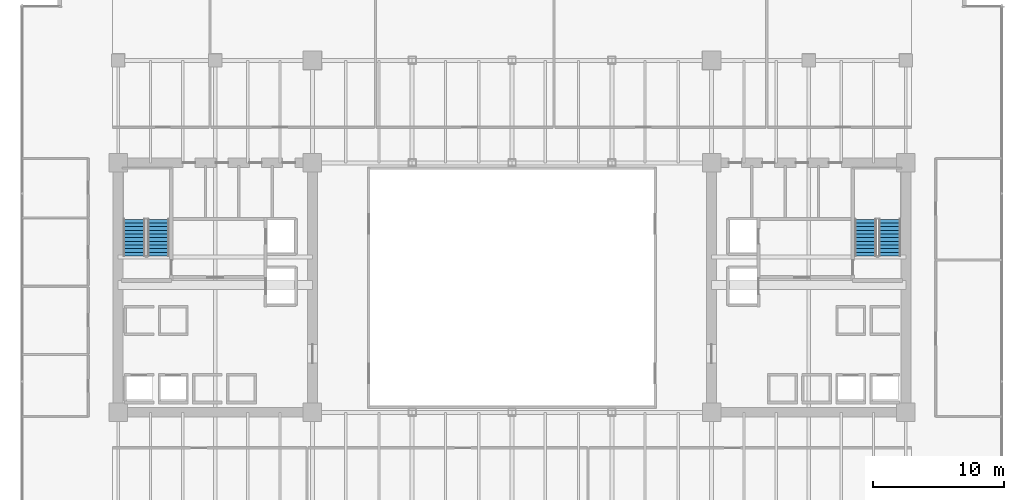
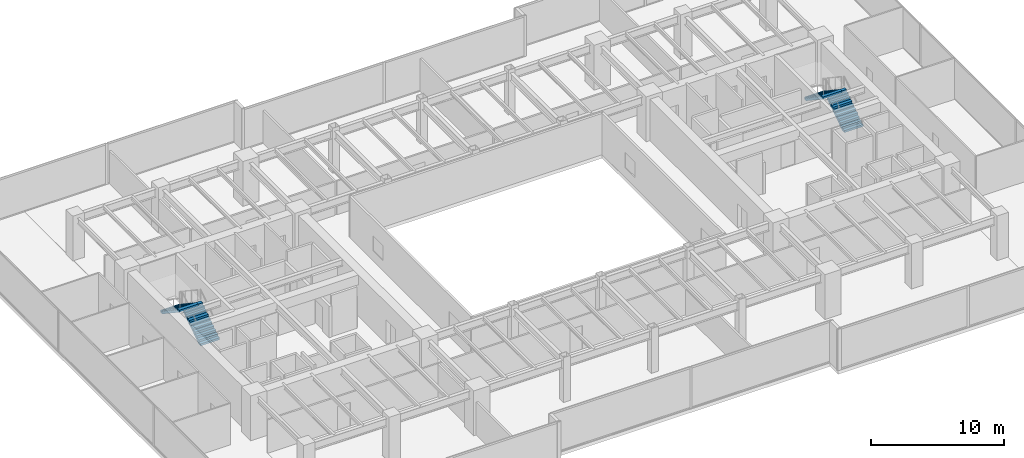
# One storey, part 33 of 36: 4 stair flights, 2 elements without a shape of their own.
"""IFC4 building model written with IfcOpenShell, lengths in metres."""

from ifc_helpers import new_model, si_unit, direction, frame, origin, place, context, subcontext, project, spatial, polyline, outline, extrude, source, transform, mapped, material, type_object, type_shapes, element, aggregate, save


model = new_model("IFC4")

# Units and contexts
model_context = context("Model", 3, precision=1e-05, world=origin(), true_north=direction((0.0, 1.0)))
body_context = subcontext(model_context, "Body", "Model", "MODEL_VIEW")
ifc_project = project(units=[si_unit("LENGTHUNIT", "METRE"), si_unit("AREAUNIT", "SQUARE_METRE"), si_unit("VOLUMEUNIT", "CUBIC_METRE"), si_unit("PLANEANGLEUNIT", "RADIAN"), si_unit("MASSUNIT", "GRAM", prefix="KILO")], contexts=[model_context])

# Site, building, storey
site_placement = place(None, origin())
site = spatial("IfcSite", under=ifc_project, at=site_placement, CompositionType="ELEMENT")
building_placement = place(site_placement, origin())
building = spatial("IfcBuilding", under=site, at=building_placement, Name="Haelvirn Gate Laboratories", CompositionType="ELEMENT")
storey_placement = place(building_placement, frame((0.0, 0.0, 49.800048828125)))
storey = spatial("IfcBuildingStorey", under=building, at=storey_placement, Name="L12", CompositionType="ELEMENT", Elevation=49.800048828125)

# Stair, stair flights
ifc_material = material(Name="Concrete C40/50", Category="concrete")
stair_type = type_object("IfcStairType", Name="ST-DOG-1650-R22", PredefinedType="HALF_TURN_STAIR", material=ifc_material)
stair_1_placement = place(storey_placement, origin())
stair_1 = element("IfcStair", 1, at=stair_1_placement, inside=storey, type_object=stair_type, Name="L12 Escape Stair ST1", PredefinedType="HALF_TURN_STAIR")
stair_flight_type = type_object("IfcStairFlightType", Name="STF-1650-R11", PredefinedType="STRAIGHT", material=ifc_material)
shared_shape = source(origin(), body_context, "Body", "SweptSolid", [
    extrude(outline(polyline([(0.0, 0.0), (0.0, 0.186279296875), (0.280029296875, 0.186279296875), (0.280029296875, 0.372802734375), (0.56005859375, 0.372802734375), (0.56005859375, 0.55908203125), (0.840087890625, 0.55908203125), (0.840087890625, 0.745361328125), (1.1201171875, 0.745361328125), (1.1201171875, 0.931884765625), (1.39990234375, 0.931884765625), (1.39990234375, 1.1181640625), (1.679931640625, 1.1181640625), (1.679931640625, 1.304443359375), (1.9599609375, 1.304443359375), (1.9599609375, 1.490966796875), (2.239990234375, 1.490966796875), (2.239990234375, 1.67724609375), (2.52001953125, 1.67724609375), (2.52001953125, 1.863525390625), (2.800048828125, 1.863525390625), (2.800048828125, 2.050048828125), (2.800048828125, 1.671630859375), (0.28857421875, 0.0), (0.0, 0.0)])), frame((0.0, 0.824951171875, 0.0), z_axis=(0.0, -1.0, 0.0), x_axis=(1.0, 0.0, 0.0)), (0.0, 0.0, 1.0), 1.64990234375),
])
type_shapes(stair_flight_type, [shared_shape])
stair_flight_1_placement = place(storey_placement, frame((10.47509765625, 26.699951171875, 0.0), z_axis=(0.0, 0.0, 1.0), x_axis=(0.0, 1.0, 0.0)))
stair_flight_1 = element("IfcStairFlight", 2, at=stair_flight_1_placement, type_object=stair_flight_type, Name="ST1 flight 1", NumberOfRisers=11, NumberOfTreads=10, PredefinedType="STRAIGHT", RiserHeight=0.186363636, TreadLength=0.28, context=body_context, shape_type="MappedRepresentation", body=[
    mapped(shared_shape, transform((0.0, 0.0, 0.0), scale=1.0)),
])
stair_flight_2_placement = place(storey_placement, frame((8.625, 29.5, 2.050048828125), z_axis=(0.0, 0.0, 1.0), x_axis=(0.0, -1.0, 0.0)))
stair_flight_2 = element("IfcStairFlight", 3, at=stair_flight_2_placement, type_object=stair_flight_type, Name="ST1 flight 2", NumberOfRisers=11, NumberOfTreads=10, PredefinedType="STRAIGHT", RiserHeight=0.186363636, TreadLength=0.28, context=body_context, shape_type="MappedRepresentation", body=[
    mapped(shared_shape, transform((0.0, 0.0, 0.0), scale=1.0)),
])
aggregate(stair_1, [stair_flight_1, stair_flight_2])

stair_2_placement = place(storey_placement, origin())
stair_2 = element("IfcStair", 4, at=stair_2_placement, inside=storey, type_object=stair_type, Name="L12 Escape Stair ST2", PredefinedType="HALF_TURN_STAIR")
stair_flight_3_placement = place(storey_placement, frame((66.175048828125, 26.699951171875, 0.0), z_axis=(0.0, 0.0, 1.0), x_axis=(0.0, 1.0, 0.0)))
stair_flight_3 = element("IfcStairFlight", 5, at=stair_flight_3_placement, type_object=stair_flight_type, Name="ST2 flight 1", NumberOfRisers=11, NumberOfTreads=10, PredefinedType="STRAIGHT", RiserHeight=0.186363636, TreadLength=0.28, context=body_context, shape_type="MappedRepresentation", body=[
    mapped(shared_shape, transform((0.0, 0.0, 0.0), scale=1.0)),
])
stair_flight_4_placement = place(storey_placement, frame((64.324951171875, 29.5, 2.050048828125), z_axis=(0.0, 0.0, 1.0), x_axis=(0.0, -1.0, 0.0)))
stair_flight_4 = element("IfcStairFlight", 6, at=stair_flight_4_placement, type_object=stair_flight_type, Name="ST2 flight 2", NumberOfRisers=11, NumberOfTreads=10, PredefinedType="STRAIGHT", RiserHeight=0.186363636, TreadLength=0.28, context=body_context, shape_type="MappedRepresentation", body=[
    mapped(shared_shape, transform((0.0, 0.0, 0.0), scale=1.0)),
])
aggregate(stair_2, [stair_flight_3, stair_flight_4])

save(model, "model.ifc")
